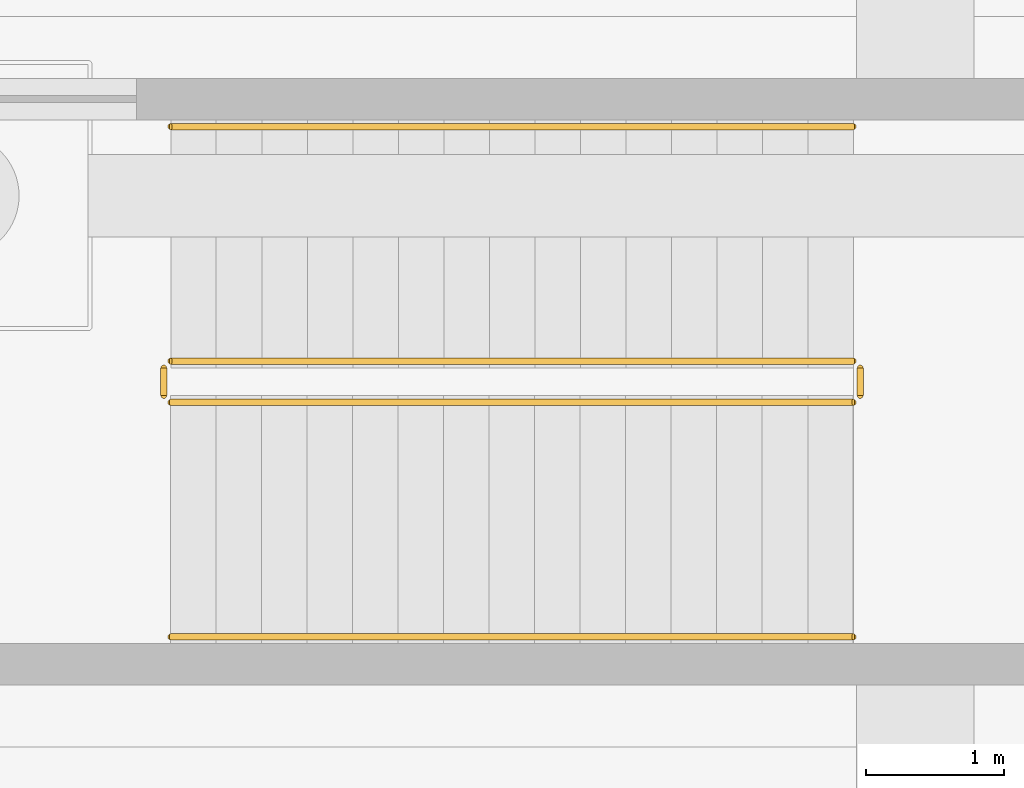
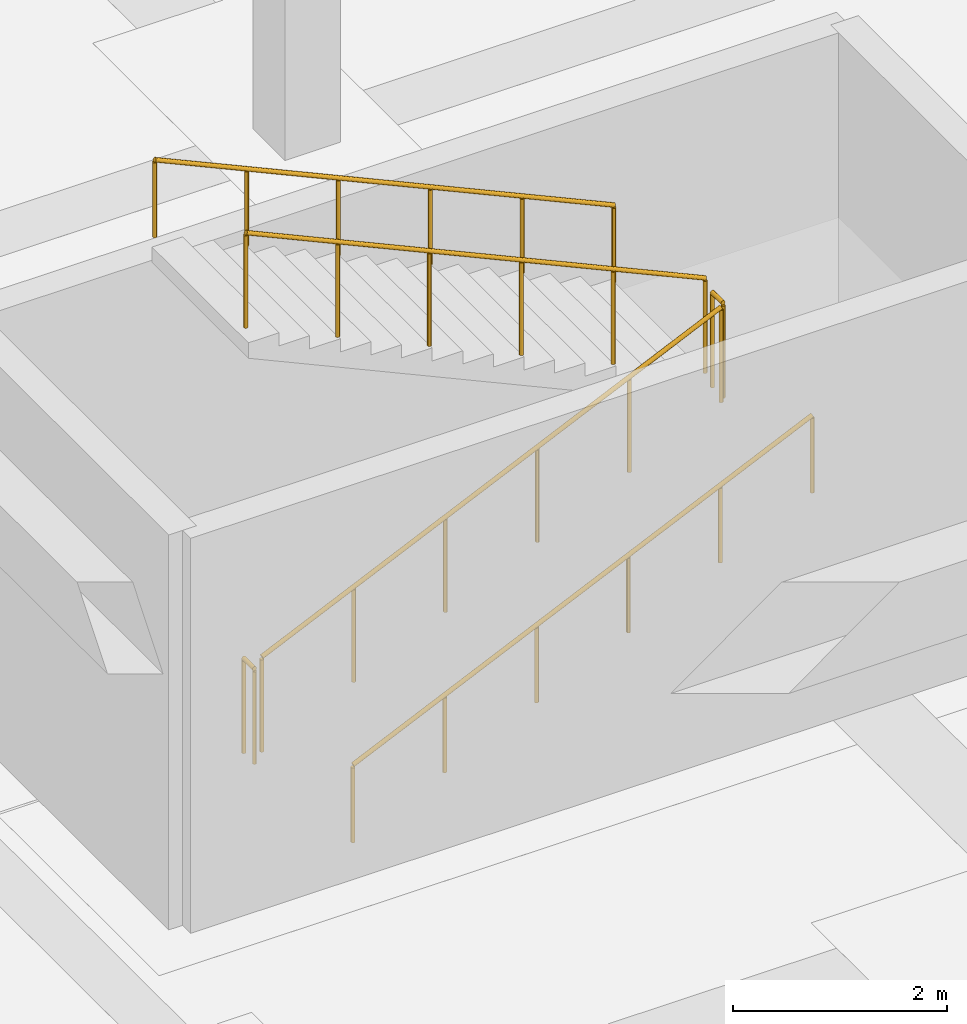
# One storey, part 73 of 80: 6 railings.
"""IFC4 building model written with IfcOpenShell, lengths in metres."""

from ifc_helpers import new_model, si_unit, direction, frame, origin, origin_2d, place, context, subcontext, project, spatial, circle, extrude, material, layer, layer_set, type_object, element, save


model = new_model("IFC4")

# Units and contexts
model_context = context("Model", 3, precision=1e-05, world=origin(), true_north=direction((0.0, 1.0)))
body_context = subcontext(model_context, "Body", "Model", "MODEL_VIEW")
ifc_project = project(units=[si_unit("LENGTHUNIT", "METRE"), si_unit("AREAUNIT", "SQUARE_METRE"), si_unit("VOLUMEUNIT", "CUBIC_METRE"), si_unit("PLANEANGLEUNIT", "RADIAN"), si_unit("MASSUNIT", "GRAM", prefix="KILO")], contexts=[model_context])

# Site, building, storey
site_placement = place(None, origin())
site = spatial("IfcSite", under=ifc_project, at=site_placement, CompositionType="ELEMENT")
building_placement = place(site_placement, origin())
building = spatial("IfcBuilding", under=site, at=building_placement, Name="Malvenik Polytechnic", CompositionType="ELEMENT")
storey_placement = place(building_placement, frame((0.0, 0.0, -4.800048828125)))
storey = spatial("IfcBuildingStorey", under=building, at=storey_placement, Name="B1", CompositionType="ELEMENT", Elevation=-4.800048828125)

# Railings
ifc_material_1 = material(Name="Painted galvanised steel stair well balustrade 1100mm", Category="steel")
ifc_layer_1 = layer(ifc_material_1, 0.050048828125)
ifc_layer_set_1 = layer_set([ifc_layer_1], Name="Painted galvanised steel stair well balustrade 1100mm")
railing_type_1 = type_object("IfcRailingType", Name="ARC-RL-STGD", PredefinedType="BALUSTRADE", material=ifc_layer_set_1)
railing_1_placement = place(storey_placement, frame((95.39990234375, 56.10009765625, 0.150146484375)))
element("IfcRailing", 1, at=railing_1_placement, inside=storey, type_object=railing_type_1, Name="B1 ST-07 stair guard 1", PredefinedType="BALUSTRADE", context=body_context, shape_type="SweptSolid", body=[
    extrude(circle(Radius=0.02392578125, at=origin_2d()), frame((0.0, 0.0, 1.076171875), z_axis=(0.910372627913, 0.0, 0.413789413043), x_axis=(0.0, 1.0, 0.0)), (0.0, 0.0, 1.0), 5.4375),
    extrude(circle(Radius=0.02099609375, at=origin_2d()), origin(), (0.0, 0.0, 1.0), 1.052001953125),
    extrude(circle(Radius=0.02099609375, at=origin_2d()), frame((0.989990234375, 0.0, 0.449951171875)), (0.0, 0.0, 1.0), 1.052001953125),
    extrude(circle(Radius=0.02099609375, at=origin_2d()), frame((1.97998046875, 0.0, 0.89990234375)), (0.0, 0.0, 1.0), 1.052001953125),
    extrude(circle(Radius=0.02099609375, at=origin_2d()), frame((2.97021484375, 0.0, 1.35009765625)), (0.0, 0.0, 1.0), 1.052001953125),
    extrude(circle(Radius=0.02099609375, at=origin_2d()), frame((3.960205078125, 0.0, 1.800048828125)), (0.0, 0.0, 1.0), 1.052001953125),
    extrude(circle(Radius=0.02099609375, at=origin_2d()), frame((4.9501953125, 0.0, 2.25)), (0.0, 0.0, 1.0), 1.052001953125),
])
railing_2_placement = place(storey_placement, frame((100.39990234375, 56.14990234375, 2.400146484375)))
element("IfcRailing", 2, at=railing_2_placement, inside=storey, type_object=railing_type_1, Name="B1 ST-07 stair guard 2", PredefinedType="BALUSTRADE", context=body_context, shape_type="SweptSolid", body=[
    extrude(circle(Radius=0.02392578125, at=origin_2d()), frame((0.0, 0.0, 1.076171875), z_axis=(0.0, 1.0, 0.0), x_axis=(-1.0, 0.0, 0.0)), (0.0, 0.0, 1.0), 0.2001953125),
    extrude(circle(Radius=0.02099609375, at=origin_2d()), origin(), (0.0, 0.0, 1.0), 1.052001953125),
    extrude(circle(Radius=0.02099609375, at=origin_2d()), frame((0.0, 0.2001953125, 0.0)), (0.0, 0.0, 1.0), 1.052001953125),
])
railing_3_placement = place(storey_placement, frame((100.35009765625, 56.39990234375, 2.550048828125)))
element("IfcRailing", 3, at=railing_3_placement, inside=storey, type_object=railing_type_1, Name="B1 ST-07 stair guard 3", PredefinedType="BALUSTRADE", context=body_context, shape_type="SweptSolid", body=[
    extrude(circle(Radius=0.02392578125, at=origin_2d()), frame((0.0, 0.0, 1.076171875), z_axis=(-0.910372627913, 0.0, 0.413789413043), x_axis=(0.0, -1.0, 0.0)), (0.0, 0.0, 1.0), 5.4375),
    extrude(circle(Radius=0.02099609375, at=origin_2d()), origin(), (0.0, 0.0, 1.0), 1.052001953125),
    extrude(circle(Radius=0.02099609375, at=origin_2d()), frame((-0.989990234375, 0.0, 0.449951171875)), (0.0, 0.0, 1.0), 1.052001953125),
    extrude(circle(Radius=0.02099609375, at=origin_2d()), frame((-1.97998046875, 0.0, 0.89990234375)), (0.0, 0.0, 1.0), 1.052001953125),
    extrude(circle(Radius=0.02099609375, at=origin_2d()), frame((-2.97021484375, 0.0, 1.35009765625)), (0.0, 0.0, 1.0), 1.052001953125),
    extrude(circle(Radius=0.02099609375, at=origin_2d()), frame((-3.960205078125, 0.0, 1.800048828125)), (0.0, 0.0, 1.0), 1.052001953125),
    extrude(circle(Radius=0.02099609375, at=origin_2d()), frame((-4.9501953125, 0.0, 2.25)), (0.0, 0.0, 1.0), 1.052001953125),
])
railing_4_placement = place(storey_placement, frame((95.35009765625, 56.14990234375, 0.0)))
element("IfcRailing", 4, at=railing_4_placement, inside=storey, type_object=railing_type_1, Name="B1 ST-07 stair guard 4", PredefinedType="BALUSTRADE", context=body_context, shape_type="SweptSolid", body=[
    extrude(circle(Radius=0.02392578125, at=origin_2d()), frame((0.0, 0.0, 1.076171875), z_axis=(0.0, 1.0, 0.0), x_axis=(-1.0, 0.0, 0.0)), (0.0, 0.0, 1.0), 0.2001953125),
    extrude(circle(Radius=0.02099609375, at=origin_2d()), origin(), (0.0, 0.0, 1.0), 1.052001953125),
    extrude(circle(Radius=0.02099609375, at=origin_2d()), frame((0.0, 0.2001953125, 0.0)), (0.0, 0.0, 1.0), 1.052001953125),
])
ifc_material_2 = material(Name="Brushed stainless steel 1.4301 stair wall handrail", Category="steel")
ifc_layer_2 = layer(ifc_material_2, 0.044921875)
ifc_layer_set_2 = layer_set([ifc_layer_2], Name="Brushed stainless steel 1.4301 stair wall handrail")
railing_type_2 = type_object("IfcRailingType", Name="ARC-RL-STHR", PredefinedType="HANDRAIL", material=ifc_layer_set_2)
railing_5_placement = place(storey_placement, frame((95.39990234375, 54.39990234375, 0.150146484375)))
element("IfcRailing", 5, at=railing_5_placement, inside=storey, type_object=railing_type_2, Name="B1 ST-07 stair handrail 1", PredefinedType="HANDRAIL", context=body_context, shape_type="SweptSolid", body=[
    extrude(circle(Radius=0.02392578125, at=origin_2d()), frame((0.0, 0.0, 0.8759765625), z_axis=(0.910372627913, 0.0, 0.413789413043), x_axis=(0.0, 1.0, 0.0)), (0.0, 0.0, 1.0), 5.4375),
    extrude(circle(Radius=0.02099609375, at=origin_2d()), origin(), (0.0, 0.0, 1.0), 0.851806640625),
    extrude(circle(Radius=0.02099609375, at=origin_2d()), frame((0.989990234375, 0.0, 0.449951171875)), (0.0, 0.0, 1.0), 0.851806640625),
    extrude(circle(Radius=0.02099609375, at=origin_2d()), frame((1.97998046875, 0.0, 0.89990234375)), (0.0, 0.0, 1.0), 0.851806640625),
    extrude(circle(Radius=0.02099609375, at=origin_2d()), frame((2.97021484375, 0.0, 1.35009765625)), (0.0, 0.0, 1.0), 0.851806640625),
    extrude(circle(Radius=0.02099609375, at=origin_2d()), frame((3.960205078125, 0.0, 1.800048828125)), (0.0, 0.0, 1.0), 0.851806640625),
    extrude(circle(Radius=0.02099609375, at=origin_2d()), frame((4.9501953125, 0.0, 2.25)), (0.0, 0.0, 1.0), 0.851806640625),
])
railing_6_placement = place(storey_placement, frame((100.35009765625, 58.10009765625, 2.550048828125)))
element("IfcRailing", 6, at=railing_6_placement, inside=storey, type_object=railing_type_2, Name="B1 ST-07 stair handrail 2", PredefinedType="HANDRAIL", context=body_context, shape_type="SweptSolid", body=[
    extrude(circle(Radius=0.02392578125, at=origin_2d()), frame((0.0, 0.0, 0.8759765625), z_axis=(-0.910372627913, 0.0, 0.413789413043), x_axis=(0.0, -1.0, 0.0)), (0.0, 0.0, 1.0), 5.4375),
    extrude(circle(Radius=0.02099609375, at=origin_2d()), origin(), (0.0, 0.0, 1.0), 0.851806640625),
    extrude(circle(Radius=0.02099609375, at=origin_2d()), frame((-0.989990234375, 0.0, 0.449951171875)), (0.0, 0.0, 1.0), 0.851806640625),
    extrude(circle(Radius=0.02099609375, at=origin_2d()), frame((-1.97998046875, 0.0, 0.89990234375)), (0.0, 0.0, 1.0), 0.851806640625),
    extrude(circle(Radius=0.02099609375, at=origin_2d()), frame((-2.97021484375, 0.0, 1.35009765625)), (0.0, 0.0, 1.0), 0.851806640625),
    extrude(circle(Radius=0.02099609375, at=origin_2d()), frame((-3.960205078125, 0.0, 1.800048828125)), (0.0, 0.0, 1.0), 0.851806640625),
    extrude(circle(Radius=0.02099609375, at=origin_2d()), frame((-4.9501953125, 0.0, 2.25)), (0.0, 0.0, 1.0), 0.851806640625),
])

save(model, "model.ifc")
